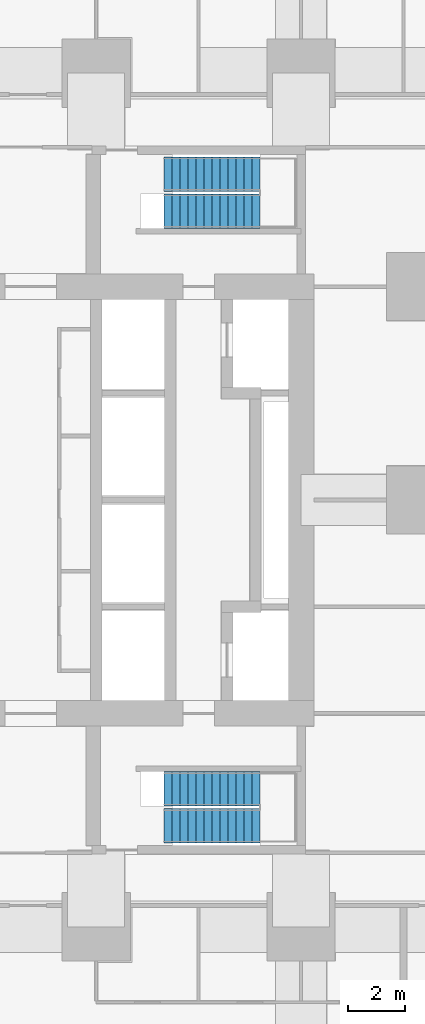
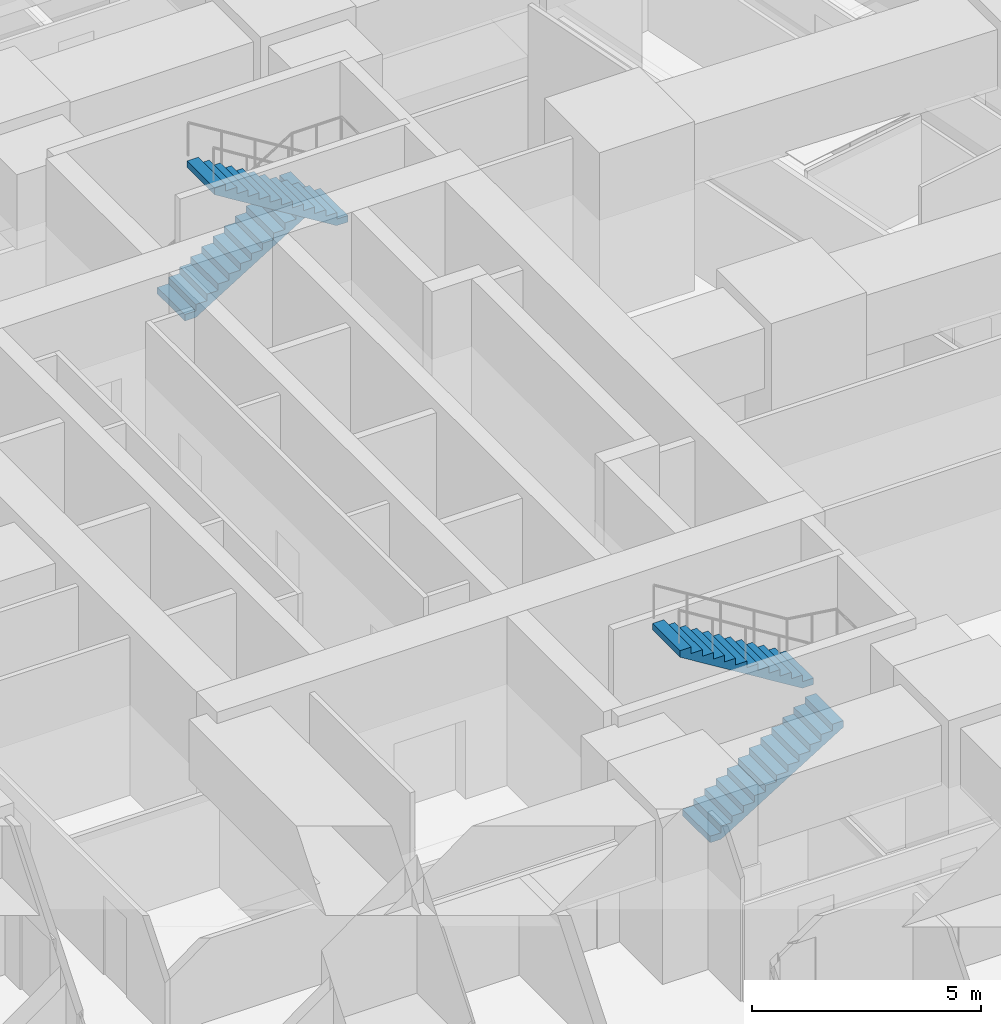
# One storey, part 20 of 23: 4 stair flights, 2 elements without a shape of their own.
"""IFC4 building model written with IfcOpenShell, lengths in metres."""

import ifcopenshell
import ifcopenshell.guid

model = None  # the IFC model being written
_history = None  # IfcOwnerHistory: only IFC2X3 demands one
_inside = {}  # id of a spatial element -> (the spatial element, [elements in it])
_under = {}  # id of a project, library or spatial element -> (it, [spatial elements below it])
_declared = {}  # id of a project -> (the project, [libraries it declares])
_typed = {}  # id of a type object -> (the type object, [elements of that type])
_made_of = {}  # id of a material, layer set ... -> (it, [elements and type objects made of it])


def new_model(schema):
    """Start an empty IFC model of exactly this schema.

    Asked for "IFC4X3", IfcOpenShell would pick the latest addendum, in which some entities
    have other attributes; the version numbers below select the first issue.
    IFC2X3 requires an IfcOwnerHistory on every rooted entity: one is made here for all.
    """
    global model, _history
    if schema == "IFC4X3":
        model = ifcopenshell.file(schema_version=(4, 3, 0, 0))
    else:
        model = ifcopenshell.file(schema=schema)
    _inside.clear()
    _under.clear()
    _declared.clear()
    _typed.clear()
    _made_of.clear()
    _history = None
    if model.schema == "IFC2X3":
        org = make("IfcOrganization", Name="unknown")
        user = make(
            "IfcPersonAndOrganization",
            ThePerson=make("IfcPerson", FamilyName="unknown"),
            TheOrganization=org,
        )
        app = make(
            "IfcApplication",
            ApplicationDeveloper=org,
            Version="unknown",
            ApplicationFullName="unknown",
            ApplicationIdentifier="unknown",
        )
        _history = make(
            "IfcOwnerHistory",
            OwningUser=user,
            OwningApplication=app,
            ChangeAction="ADDED",
            CreationDate=0,
        )
    return model


def make(cls, **values):
    """One entity of the class cls with the attributes given. An attribute that is None is left unset."""
    return model.create_entity(
        cls, **{name: value for name, value in values.items() if value is not None}
    )


def rooted(cls, **values):
    """An entity with a GlobalId (a new one), such as an element, a storey or a relation."""
    return make(cls, GlobalId=ifcopenshell.guid.new(), OwnerHistory=_history, **values)


def si_unit(unit_type, name, prefix=None):
    """IfcSIUnit, for example si_unit("LENGTHUNIT", "METRE", prefix="MILLI")."""
    return make("IfcSIUnit", UnitType=unit_type, Prefix=prefix, Name=name)


def assignment(units):
    """IfcUnitAssignment: the units of a project."""
    return None if units is None else make("IfcUnitAssignment", Units=units)


def point(xyz):
    """IfcCartesianPoint."""
    return None if xyz is None else make("IfcCartesianPoint", Coordinates=xyz)


def direction(xyz):
    """IfcDirection."""
    return None if xyz is None else make("IfcDirection", DirectionRatios=xyz)


def frame(location, z_axis=None, x_axis=None):
    """IfcAxis2Placement3D, a coordinate frame: its origin and axes. An axis left out is left unset."""
    return make(
        "IfcAxis2Placement3D",
        Location=point(location),
        Axis=direction(z_axis),
        RefDirection=direction(x_axis),
    )


def origin():
    """The frame at (0, 0, 0) with its axes left unset."""
    return frame((0.0, 0.0, 0.0))


def place(relative_to, where):
    """IfcLocalPlacement: puts the frame where relative to a parent placement (None: the world)."""
    return make(
        "IfcLocalPlacement", PlacementRelTo=relative_to, RelativePlacement=where
    )


def context(
    kind, dimensions, precision=None, world=None, true_north=None, identifier=None
):
    """IfcGeometricRepresentationContext, for example the 3D "Model" context."""
    return make(
        "IfcGeometricRepresentationContext",
        ContextIdentifier=identifier,
        ContextType=kind,
        CoordinateSpaceDimension=dimensions,
        Precision=precision,
        WorldCoordinateSystem=world,
        TrueNorth=true_north,
    )


def subcontext(parent, identifier, kind, view, scale=None):
    """IfcGeometricRepresentationSubContext, for example "Body" below "Model"."""
    return make(
        "IfcGeometricRepresentationSubContext",
        ContextIdentifier=identifier,
        ContextType=kind,
        ParentContext=parent,
        TargetScale=scale,
        TargetView=view,
    )


def project(units=None, contexts=None):
    """IfcProject with its units and contexts."""
    return rooted(
        "IfcProject",
        Name="project",
        RepresentationContexts=contexts,
        UnitsInContext=assignment(units),
    )


def spatial(cls, under=None, at=None, **own):
    """A site, building, storey or space (cls), placed at a placement, below another one or the project."""
    s = rooted(cls, ObjectPlacement=at, **own)
    if under is not None:
        _under.setdefault(under.id(), (under, []))[1].append(s)
    return s


def point_list(points):
    """IfcCartesianPointList2D or 3D."""
    cls = (
        "IfcCartesianPointList2D" if len(points[0]) == 2 else "IfcCartesianPointList3D"
    )
    return make(cls, CoordList=points)


def triangles(points, corners, closed=None, point_numbers=None):
    """IfcTriangulatedFaceSet: each triangle names its three corners, points numbered from 1."""
    return make(
        "IfcTriangulatedFaceSet",
        Coordinates=point_list(points),
        Closed=closed,
        CoordIndex=corners,
        PnIndex=point_numbers,
    )


def shape(context_of_items, identifier, shape_type, items):
    """IfcShapeRepresentation: the items that make up one representation, for example the "Body"."""
    return make(
        "IfcShapeRepresentation",
        ContextOfItems=context_of_items,
        RepresentationIdentifier=identifier,
        RepresentationType=shape_type,
        Items=items,
    )


def material(Name=None, Category=None):
    """IfcMaterial."""
    return make("IfcMaterial", Name=Name, Category=Category)


def made_of(thing, what):
    """Note that an element or type object is made of a material, layer set ...; save() writes the relation."""
    if what is not None:
        _made_of.setdefault(what.id(), (what, []))[1].append(thing)
    return thing


def type_object(cls, material=None, **own):
    """A type object (cls), such as IfcWallType, which elements share."""
    return made_of(rooted(cls, **own), material)


def element(
    cls,
    number,
    at=None,
    inside=None,
    cuts=None,
    type_object=None,
    material=None,
    context=None,
    identifier="Body",
    shape_type=None,
    held_by="IfcProductDefinitionShape",
    body=None,
    shapes=None,
    **own,
):
    """One element of the class cls, such as IfcWall. Its Tag is "e" and its number.

    at: its placement. inside: the storey or other place that contains it. cuts: it is an
    opening in that element (IfcRelVoidsElement). A single representation is given by context,
    identifier, shape_type and body (its items); several are given by shapes. held_by: the class
    of the entity that holds the representations. save() writes the other relations.
    """
    e = rooted(cls, Tag="e%d" % number, ObjectPlacement=at, **own)
    if body is not None:
        shapes = [shape(context, identifier, shape_type, body)]
    if shapes is not None:
        e.Representation = make(held_by, Representations=shapes)
    if inside is not None:
        _inside.setdefault(inside.id(), (inside, []))[1].append(e)
    if cuts is not None:
        rooted(
            "IfcRelVoidsElement", RelatingBuildingElement=cuts, RelatedOpeningElement=e
        )
    if type_object is not None:
        _typed.setdefault(type_object.id(), (type_object, []))[1].append(e)
    return made_of(e, material)


def aggregate(whole, parts):
    """IfcRelAggregates: a whole, such as a stair, and the parts it consists of."""
    return rooted("IfcRelAggregates", RelatingObject=whole, RelatedObjects=parts)


def save(model, path):
    """Write the relations noted so far, then the file.

    IfcRelAggregates (storeys below a building ...), IfcRelContainedInSpatialStructure (elements
    in a storey), IfcRelDefinesByType, IfcRelAssociatesMaterial and IfcRelDeclares: one each for
    every whole, place, type object, material and project.
    """
    for whole, parts in _under.values():
        aggregate(whole, parts)
    for where, things in _inside.values():
        rooted(
            "IfcRelContainedInSpatialStructure",
            RelatedElements=things,
            RelatingStructure=where,
        )
    for kind, things in _typed.values():
        rooted("IfcRelDefinesByType", RelatedObjects=things, RelatingType=kind)
    for what, things in _made_of.values():
        rooted("IfcRelAssociatesMaterial", RelatedObjects=things, RelatingMaterial=what)
    for by, libraries in _declared.values():
        rooted("IfcRelDeclares", RelatingContext=by, RelatedDefinitions=libraries)
    model.write(path)


model = new_model("IFC4")

# Units and contexts
model_context = context("Model", 3, precision=1e-05, world=origin(), true_north=direction((0.0, 1.0)))
body_context = subcontext(model_context, "Body", "Model", "MODEL_VIEW")
ifc_project = project(units=[si_unit("LENGTHUNIT", "METRE"), si_unit("AREAUNIT", "SQUARE_METRE"), si_unit("VOLUMEUNIT", "CUBIC_METRE"), si_unit("PLANEANGLEUNIT", "RADIAN"), si_unit("MASSUNIT", "GRAM", prefix="KILO")], contexts=[model_context])

# Site, building, storey
site_placement = place(None, origin())
site = spatial("IfcSite", under=ifc_project, at=site_placement, CompositionType="ELEMENT")
building_placement = place(site_placement, origin())
building = spatial("IfcBuilding", under=site, at=building_placement, Name="Sheger Commons Tower", CompositionType="ELEMENT")
storey_placement = place(building_placement, frame((0.0, 0.0, 5.60009765625)))
storey = spatial("IfcBuildingStorey", under=building, at=storey_placement, Name="L01", CompositionType="ELEMENT", Elevation=5.60009765625)

# Stair, stair flights
ifc_material_1 = material(Name="Concrete C35/45", Category="concrete")
stair_type = type_object("IfcStairType", Name="HALF-TURN STAIR 1200 RISE 4500", PredefinedType="HALF_TURN_STAIR", material=ifc_material_1)
stair_1_placement = place(storey_placement, origin())
stair_1 = element("IfcStair", 1, at=stair_1_placement, inside=storey, type_object=stair_type, Name="Stair S1 L01", PredefinedType="HALF_TURN_STAIR")
ifc_material_2 = material(Name="Concrete C35/45", Category="concrete")
stair_flight_type = type_object("IfcStairFlightType", Name="STAIR FLIGHT 1200 13 RISERS OF 173", PredefinedType="STRAIGHT", material=ifc_material_2)
stair_flight_1_placement = place(storey_placement, frame((23.989990234375, 11.050048828125, 0.0), z_axis=(0.0, 0.0, 1.0), x_axis=(1.0, 0.0, 0.0)))
stair_flight_1 = element("IfcStairFlight", 2, at=stair_flight_1_placement, type_object=stair_flight_type, Name="S1 flight 1", NumberOfRisers=13, NumberOfTreads=12, PredefinedType="STRAIGHT", RiserHeight=0.173076923, TreadLength=0.28, context=body_context, shape_type="Tessellation", body=[
    triangles([(0.0, 0.5999755859375, 0.0), (0.0, 0.5999755859375, 0.173095703125), (0.280029296875, 0.5999755859375, 0.173095703125), (0.280029296875, 0.5999755859375, 0.34619140625), (0.56005859375, 0.5999755859375, 0.34619140625), (0.56005859375, 0.5999755859375, 0.519287109375), (0.840087890625, 0.5999755859375, 0.519287109375), (0.840087890625, 0.5999755859375, 0.6923828125), (1.1201171875, 0.5999755859375, 0.6923828125), (1.1201171875, 0.5999755859375, 0.865478515625), (1.39990234375, 0.5999755859375, 0.865478515625), (1.39990234375, 0.5999755859375, 1.03857421875), (1.679931640625, 0.5999755859375, 1.03857421875), (1.679931640625, 0.5999755859375, 1.21142578125), (1.9599609375, 0.5999755859375, 1.21142578125), (1.9599609375, 0.5999755859375, 1.384521484375), (2.239990234375, 0.5999755859375, 1.384521484375), (2.239990234375, 0.5999755859375, 1.5576171875), (2.52001953125, 0.5999755859375, 1.5576171875), (2.52001953125, 0.5999755859375, 1.730712890625), (2.800048828125, 0.5999755859375, 1.730712890625), (2.800048828125, 0.5999755859375, 1.90380859375), (3.080078125, 0.5999755859375, 1.90380859375), (3.080078125, 0.5999755859375, 2.076904296875), (3.360107421875, 0.5999755859375, 2.076904296875), (3.360107421875, 0.5999755859375, 1.900634765625), (0.28515625, 0.5999755859375, 0.0), (0.0, -0.5999755859375, 0.0), (0.0, -0.5999755859375, 0.173095703125), (0.280029296875, -0.5999755859375, 0.173095703125), (0.280029296875, -0.5999755859375, 0.34619140625), (0.56005859375, -0.5999755859375, 0.34619140625), (0.56005859375, -0.5999755859375, 0.519287109375), (0.840087890625, -0.5999755859375, 0.519287109375), (0.840087890625, -0.5999755859375, 0.6923828125), (1.1201171875, -0.5999755859375, 0.6923828125), (1.1201171875, -0.5999755859375, 0.865478515625), (1.39990234375, -0.5999755859375, 0.865478515625), (1.39990234375, -0.5999755859375, 1.03857421875), (1.679931640625, -0.5999755859375, 1.03857421875), (1.679931640625, -0.5999755859375, 1.21142578125), (1.9599609375, -0.5999755859375, 1.21142578125), (1.9599609375, -0.5999755859375, 1.384521484375), (2.239990234375, -0.5999755859375, 1.384521484375), (2.239990234375, -0.5999755859375, 1.5576171875), (2.52001953125, -0.5999755859375, 1.5576171875), (2.52001953125, -0.5999755859375, 1.730712890625), (2.800048828125, -0.5999755859375, 1.730712890625), (2.800048828125, -0.5999755859375, 1.90380859375), (3.080078125, -0.5999755859375, 1.90380859375), (3.080078125, -0.5999755859375, 2.076904296875), (3.360107421875, -0.5999755859375, 2.076904296875), (3.360107421875, -0.5999755859375, 1.900634765625), (0.28515625, -0.5999755859375, 0.0), (0.0, 0.0, 0.0865478515625), (0.1400146484375, 0.0, 0.173095703125), (0.280029296875, 0.0, 0.2596435546875), (0.4200439453125, 0.0, 0.34619140625), (0.56005859375, 0.0, 0.4327392578125), (0.7000732421875, 0.0, 0.519287109375), (0.840087890625, 0.0, 0.6058349609375), (0.9801025390625, 0.0, 0.6923828125), (1.1201171875, 0.0, 0.7789306640625), (1.260009765625, 0.0, 0.865478515625), (1.39990234375, 0.0, 0.9520263671875), (1.5399169921875, 0.0, 1.03857421875), (1.679931640625, 0.0, 1.125), (1.8199462890625, 0.0, 1.21142578125), (1.9599609375, 0.0, 1.2979736328125), (2.0999755859375, 0.0, 1.384521484375), (2.239990234375, 0.0, 1.4710693359375), (2.3800048828125, 0.0, 1.5576171875), (2.52001953125, 0.0, 1.6441650390625), (2.6600341796875, 0.0, 1.730712890625), (2.800048828125, 0.0, 1.8172607421875), (2.9400634765625, 0.0, 1.90380859375), (3.080078125, 0.0, 1.9903564453125), (3.2200927734375, 0.0, 2.076904296875), (3.360107421875, 0.0, 1.98876953125), (1.8226318359375, 0.0, 0.9503173828125), (0.142578125, 0.0, 0.0)], [[1, 26, 27], [28, 54, 53], [26, 24, 25], [53, 52, 51], [26, 23, 24], [53, 51, 50], [26, 22, 23], [53, 50, 49], [26, 21, 22], [53, 49, 48], [21, 19, 20], [48, 47, 46], [26, 19, 21], [53, 48, 46], [19, 17, 18], [46, 45, 44], [26, 17, 19], [53, 46, 44], [17, 15, 16], [44, 43, 42], [26, 15, 17], [53, 44, 42], [1, 15, 26], [28, 53, 42], [15, 13, 14], [42, 41, 40], [13, 11, 12], [40, 39, 38], [15, 11, 13], [42, 40, 38], [11, 9, 10], [38, 37, 36], [15, 9, 11], [42, 38, 36], [9, 7, 8], [36, 35, 34], [15, 7, 9], [42, 36, 34], [7, 5, 6], [34, 33, 32], [15, 5, 7], [42, 34, 32], [5, 3, 4], [32, 31, 30], [15, 3, 5], [42, 32, 30], [1, 3, 15], [28, 42, 30], [3, 1, 2], [30, 29, 28], [1, 55, 2], [2, 55, 29], [29, 55, 28], [28, 55, 1], [2, 56, 3], [3, 56, 30], [30, 56, 29], [29, 56, 2], [3, 57, 4], [4, 57, 31], [31, 57, 30], [30, 57, 3], [4, 58, 5], [5, 58, 32], [32, 58, 31], [31, 58, 4], [5, 59, 6], [6, 59, 33], [33, 59, 32], [32, 59, 5], [6, 60, 7], [7, 60, 34], [34, 60, 33], [33, 60, 6], [7, 61, 8], [8, 61, 35], [35, 61, 34], [34, 61, 7], [8, 62, 9], [9, 62, 36], [36, 62, 35], [35, 62, 8], [9, 63, 10], [10, 63, 37], [37, 63, 36], [36, 63, 9], [10, 64, 11], [11, 64, 38], [38, 64, 37], [37, 64, 10], [11, 65, 12], [12, 65, 39], [39, 65, 38], [38, 65, 11], [12, 66, 13], [13, 66, 40], [40, 66, 39], [39, 66, 12], [13, 67, 14], [14, 67, 41], [41, 67, 40], [40, 67, 13], [14, 68, 15], [15, 68, 42], [42, 68, 41], [41, 68, 14], [15, 69, 16], [16, 69, 43], [43, 69, 42], [42, 69, 15], [16, 70, 17], [17, 70, 44], [44, 70, 43], [43, 70, 16], [17, 71, 18], [18, 71, 45], [45, 71, 44], [44, 71, 17], [18, 72, 19], [19, 72, 46], [46, 72, 45], [45, 72, 18], [19, 73, 20], [20, 73, 47], [47, 73, 46], [46, 73, 19], [20, 74, 21], [21, 74, 48], [48, 74, 47], [47, 74, 20], [21, 75, 22], [22, 75, 49], [49, 75, 48], [48, 75, 21], [22, 76, 23], [23, 76, 50], [50, 76, 49], [49, 76, 22], [23, 77, 24], [24, 77, 51], [51, 77, 50], [50, 77, 23], [24, 78, 25], [25, 78, 52], [52, 78, 51], [51, 78, 24], [25, 79, 26], [26, 79, 53], [53, 79, 52], [52, 79, 25], [26, 80, 27], [27, 80, 54], [54, 80, 53], [53, 80, 26], [27, 81, 1], [1, 81, 28], [28, 81, 54], [54, 81, 27]], closed=True),
])
stair_flight_2_placement = place(storey_placement, frame((27.35009765625, 12.35009765625, 2.25), z_axis=(0.0, 0.0, 1.0), x_axis=(-1.0, 0.0, 0.0)))
stair_flight_2 = element("IfcStairFlight", 3, at=stair_flight_2_placement, type_object=stair_flight_type, Name="S1 flight 2", NumberOfRisers=13, NumberOfTreads=12, PredefinedType="STRAIGHT", RiserHeight=0.173076923, TreadLength=0.28, context=body_context, shape_type="Tessellation", body=[
    triangles([(0.0, 0.5999755859375, 0.0), (0.0, 0.5999755859375, 0.173095703125), (0.280029296875, 0.5999755859375, 0.173095703125), (0.280029296875, 0.5999755859375, 0.34619140625), (0.56005859375, 0.5999755859375, 0.34619140625), (0.56005859375, 0.5999755859375, 0.519287109375), (0.840087890625, 0.5999755859375, 0.519287109375), (0.840087890625, 0.5999755859375, 0.6923828125), (1.1201171875, 0.5999755859375, 0.6923828125), (1.1201171875, 0.5999755859375, 0.865478515625), (1.39990234375, 0.5999755859375, 0.865478515625), (1.39990234375, 0.5999755859375, 1.03857421875), (1.679931640625, 0.5999755859375, 1.03857421875), (1.679931640625, 0.5999755859375, 1.21142578125), (1.9599609375, 0.5999755859375, 1.21142578125), (1.9599609375, 0.5999755859375, 1.384521484375), (2.239990234375, 0.5999755859375, 1.384521484375), (2.239990234375, 0.5999755859375, 1.5576171875), (2.52001953125, 0.5999755859375, 1.5576171875), (2.52001953125, 0.5999755859375, 1.730712890625), (2.800048828125, 0.5999755859375, 1.730712890625), (2.800048828125, 0.5999755859375, 1.90380859375), (3.080078125, 0.5999755859375, 1.90380859375), (3.080078125, 0.5999755859375, 2.076904296875), (3.360107421875, 0.5999755859375, 2.076904296875), (3.360107421875, 0.5999755859375, 1.900634765625), (0.28515625, 0.5999755859375, 0.0), (0.0, -0.5999755859375, 0.0), (0.0, -0.5999755859375, 0.173095703125), (0.280029296875, -0.5999755859375, 0.173095703125), (0.280029296875, -0.5999755859375, 0.34619140625), (0.56005859375, -0.5999755859375, 0.34619140625), (0.56005859375, -0.5999755859375, 0.519287109375), (0.840087890625, -0.5999755859375, 0.519287109375), (0.840087890625, -0.5999755859375, 0.6923828125), (1.1201171875, -0.5999755859375, 0.6923828125), (1.1201171875, -0.5999755859375, 0.865478515625), (1.39990234375, -0.5999755859375, 0.865478515625), (1.39990234375, -0.5999755859375, 1.03857421875), (1.679931640625, -0.5999755859375, 1.03857421875), (1.679931640625, -0.5999755859375, 1.21142578125), (1.9599609375, -0.5999755859375, 1.21142578125), (1.9599609375, -0.5999755859375, 1.384521484375), (2.239990234375, -0.5999755859375, 1.384521484375), (2.239990234375, -0.5999755859375, 1.5576171875), (2.52001953125, -0.5999755859375, 1.5576171875), (2.52001953125, -0.5999755859375, 1.730712890625), (2.800048828125, -0.5999755859375, 1.730712890625), (2.800048828125, -0.5999755859375, 1.90380859375), (3.080078125, -0.5999755859375, 1.90380859375), (3.080078125, -0.5999755859375, 2.076904296875), (3.360107421875, -0.5999755859375, 2.076904296875), (3.360107421875, -0.5999755859375, 1.900634765625), (0.28515625, -0.5999755859375, 0.0), (0.0, 0.0, 0.0865478515625), (0.1400146484375, 0.0, 0.173095703125), (0.280029296875, 0.0, 0.2596435546875), (0.4200439453125, 0.0, 0.34619140625), (0.56005859375, 0.0, 0.4327392578125), (0.7000732421875, 0.0, 0.519287109375), (0.840087890625, 0.0, 0.6058349609375), (0.9801025390625, 0.0, 0.6923828125), (1.1201171875, 0.0, 0.7789306640625), (1.260009765625, 0.0, 0.865478515625), (1.39990234375, 0.0, 0.9520263671875), (1.5399169921875, 0.0, 1.03857421875), (1.679931640625, 0.0, 1.125), (1.8199462890625, 0.0, 1.21142578125), (1.9599609375, 0.0, 1.2979736328125), (2.0999755859375, 0.0, 1.384521484375), (2.239990234375, 0.0, 1.4710693359375), (2.3800048828125, 0.0, 1.5576171875), (2.52001953125, 0.0, 1.6441650390625), (2.6600341796875, 0.0, 1.730712890625), (2.800048828125, 0.0, 1.8172607421875), (2.9400634765625, 0.0, 1.90380859375), (3.080078125, 0.0, 1.9903564453125), (3.2200927734375, 0.0, 2.076904296875), (3.360107421875, 0.0, 1.98876953125), (1.8226318359375, 0.0, 0.9503173828125), (0.142578125, 0.0, 0.0)], [[1, 26, 27], [28, 54, 53], [26, 24, 25], [53, 52, 51], [26, 23, 24], [53, 51, 50], [26, 22, 23], [53, 50, 49], [26, 21, 22], [53, 49, 48], [21, 19, 20], [48, 47, 46], [26, 19, 21], [53, 48, 46], [19, 17, 18], [46, 45, 44], [26, 17, 19], [53, 46, 44], [17, 15, 16], [44, 43, 42], [26, 15, 17], [53, 44, 42], [1, 15, 26], [28, 53, 42], [15, 13, 14], [42, 41, 40], [13, 11, 12], [40, 39, 38], [15, 11, 13], [42, 40, 38], [11, 9, 10], [38, 37, 36], [15, 9, 11], [42, 38, 36], [9, 7, 8], [36, 35, 34], [15, 7, 9], [42, 36, 34], [7, 5, 6], [34, 33, 32], [15, 5, 7], [42, 34, 32], [5, 3, 4], [32, 31, 30], [15, 3, 5], [42, 32, 30], [1, 3, 15], [28, 42, 30], [3, 1, 2], [30, 29, 28], [1, 55, 2], [2, 55, 29], [29, 55, 28], [28, 55, 1], [2, 56, 3], [3, 56, 30], [30, 56, 29], [29, 56, 2], [3, 57, 4], [4, 57, 31], [31, 57, 30], [30, 57, 3], [4, 58, 5], [5, 58, 32], [32, 58, 31], [31, 58, 4], [5, 59, 6], [6, 59, 33], [33, 59, 32], [32, 59, 5], [6, 60, 7], [7, 60, 34], [34, 60, 33], [33, 60, 6], [7, 61, 8], [8, 61, 35], [35, 61, 34], [34, 61, 7], [8, 62, 9], [9, 62, 36], [36, 62, 35], [35, 62, 8], [9, 63, 10], [10, 63, 37], [37, 63, 36], [36, 63, 9], [10, 64, 11], [11, 64, 38], [38, 64, 37], [37, 64, 10], [11, 65, 12], [12, 65, 39], [39, 65, 38], [38, 65, 11], [12, 66, 13], [13, 66, 40], [40, 66, 39], [39, 66, 12], [13, 67, 14], [14, 67, 41], [41, 67, 40], [40, 67, 13], [14, 68, 15], [15, 68, 42], [42, 68, 41], [41, 68, 14], [15, 69, 16], [16, 69, 43], [43, 69, 42], [42, 69, 15], [16, 70, 17], [17, 70, 44], [44, 70, 43], [43, 70, 16], [17, 71, 18], [18, 71, 45], [45, 71, 44], [44, 71, 17], [18, 72, 19], [19, 72, 46], [46, 72, 45], [45, 72, 18], [19, 73, 20], [20, 73, 47], [47, 73, 46], [46, 73, 19], [20, 74, 21], [21, 74, 48], [48, 74, 47], [47, 74, 20], [21, 75, 22], [22, 75, 49], [49, 75, 48], [48, 75, 21], [22, 76, 23], [23, 76, 50], [50, 76, 49], [49, 76, 22], [23, 77, 24], [24, 77, 51], [51, 77, 50], [50, 77, 23], [24, 78, 25], [25, 78, 52], [52, 78, 51], [51, 78, 24], [25, 79, 26], [26, 79, 53], [53, 79, 52], [52, 79, 25], [26, 80, 27], [27, 80, 54], [54, 80, 53], [53, 80, 26], [27, 81, 1], [1, 81, 28], [28, 81, 54], [54, 81, 27]], closed=True),
])
aggregate(stair_1, [stair_flight_1, stair_flight_2])

stair_2_placement = place(storey_placement, origin())
stair_2 = element("IfcStair", 4, at=stair_2_placement, inside=storey, type_object=stair_type, Name="Stair S2 L01", PredefinedType="HALF_TURN_STAIR")
stair_flight_3_placement = place(storey_placement, frame((23.989990234375, 33.949951171875, 0.0), z_axis=(0.0, 0.0, 1.0), x_axis=(1.0, 0.0, 0.0)))
stair_flight_3 = element("IfcStairFlight", 5, at=stair_flight_3_placement, type_object=stair_flight_type, Name="S2 flight 1", NumberOfRisers=13, NumberOfTreads=12, PredefinedType="STRAIGHT", RiserHeight=0.173076923, TreadLength=0.28, context=body_context, shape_type="Tessellation", body=[
    triangles([(0.0, 0.5999755859375, 0.0), (0.0, 0.5999755859375, 0.173095703125), (0.280029296875, 0.5999755859375, 0.173095703125), (0.280029296875, 0.5999755859375, 0.34619140625), (0.56005859375, 0.5999755859375, 0.34619140625), (0.56005859375, 0.5999755859375, 0.519287109375), (0.840087890625, 0.5999755859375, 0.519287109375), (0.840087890625, 0.5999755859375, 0.6923828125), (1.1201171875, 0.5999755859375, 0.6923828125), (1.1201171875, 0.5999755859375, 0.865478515625), (1.39990234375, 0.5999755859375, 0.865478515625), (1.39990234375, 0.5999755859375, 1.03857421875), (1.679931640625, 0.5999755859375, 1.03857421875), (1.679931640625, 0.5999755859375, 1.21142578125), (1.9599609375, 0.5999755859375, 1.21142578125), (1.9599609375, 0.5999755859375, 1.384521484375), (2.239990234375, 0.5999755859375, 1.384521484375), (2.239990234375, 0.5999755859375, 1.5576171875), (2.52001953125, 0.5999755859375, 1.5576171875), (2.52001953125, 0.5999755859375, 1.730712890625), (2.800048828125, 0.5999755859375, 1.730712890625), (2.800048828125, 0.5999755859375, 1.90380859375), (3.080078125, 0.5999755859375, 1.90380859375), (3.080078125, 0.5999755859375, 2.076904296875), (3.360107421875, 0.5999755859375, 2.076904296875), (3.360107421875, 0.5999755859375, 1.900634765625), (0.28515625, 0.5999755859375, 0.0), (0.0, -0.5999755859375, 0.0), (0.0, -0.5999755859375, 0.173095703125), (0.280029296875, -0.5999755859375, 0.173095703125), (0.280029296875, -0.5999755859375, 0.34619140625), (0.56005859375, -0.5999755859375, 0.34619140625), (0.56005859375, -0.5999755859375, 0.519287109375), (0.840087890625, -0.5999755859375, 0.519287109375), (0.840087890625, -0.5999755859375, 0.6923828125), (1.1201171875, -0.5999755859375, 0.6923828125), (1.1201171875, -0.5999755859375, 0.865478515625), (1.39990234375, -0.5999755859375, 0.865478515625), (1.39990234375, -0.5999755859375, 1.03857421875), (1.679931640625, -0.5999755859375, 1.03857421875), (1.679931640625, -0.5999755859375, 1.21142578125), (1.9599609375, -0.5999755859375, 1.21142578125), (1.9599609375, -0.5999755859375, 1.384521484375), (2.239990234375, -0.5999755859375, 1.384521484375), (2.239990234375, -0.5999755859375, 1.5576171875), (2.52001953125, -0.5999755859375, 1.5576171875), (2.52001953125, -0.5999755859375, 1.730712890625), (2.800048828125, -0.5999755859375, 1.730712890625), (2.800048828125, -0.5999755859375, 1.90380859375), (3.080078125, -0.5999755859375, 1.90380859375), (3.080078125, -0.5999755859375, 2.076904296875), (3.360107421875, -0.5999755859375, 2.076904296875), (3.360107421875, -0.5999755859375, 1.900634765625), (0.28515625, -0.5999755859375, 0.0), (0.0, 0.0, 0.0865478515625), (0.1400146484375, 0.0, 0.173095703125), (0.280029296875, 0.0, 0.2596435546875), (0.4200439453125, 0.0, 0.34619140625), (0.56005859375, 0.0, 0.4327392578125), (0.7000732421875, 0.0, 0.519287109375), (0.840087890625, 0.0, 0.6058349609375), (0.9801025390625, 0.0, 0.6923828125), (1.1201171875, 0.0, 0.7789306640625), (1.260009765625, 0.0, 0.865478515625), (1.39990234375, 0.0, 0.9520263671875), (1.5399169921875, 0.0, 1.03857421875), (1.679931640625, 0.0, 1.125), (1.8199462890625, 0.0, 1.21142578125), (1.9599609375, 0.0, 1.2979736328125), (2.0999755859375, 0.0, 1.384521484375), (2.239990234375, 0.0, 1.4710693359375), (2.3800048828125, 0.0, 1.5576171875), (2.52001953125, 0.0, 1.6441650390625), (2.6600341796875, 0.0, 1.730712890625), (2.800048828125, 0.0, 1.8172607421875), (2.9400634765625, 0.0, 1.90380859375), (3.080078125, 0.0, 1.9903564453125), (3.2200927734375, 0.0, 2.076904296875), (3.360107421875, 0.0, 1.98876953125), (1.8226318359375, 0.0, 0.9503173828125), (0.142578125, 0.0, 0.0)], [[1, 26, 27], [28, 54, 53], [26, 24, 25], [53, 52, 51], [26, 23, 24], [53, 51, 50], [26, 22, 23], [53, 50, 49], [26, 21, 22], [53, 49, 48], [21, 19, 20], [48, 47, 46], [26, 19, 21], [53, 48, 46], [19, 17, 18], [46, 45, 44], [26, 17, 19], [53, 46, 44], [17, 15, 16], [44, 43, 42], [26, 15, 17], [53, 44, 42], [1, 15, 26], [28, 53, 42], [15, 13, 14], [42, 41, 40], [13, 11, 12], [40, 39, 38], [15, 11, 13], [42, 40, 38], [11, 9, 10], [38, 37, 36], [15, 9, 11], [42, 38, 36], [9, 7, 8], [36, 35, 34], [15, 7, 9], [42, 36, 34], [7, 5, 6], [34, 33, 32], [15, 5, 7], [42, 34, 32], [5, 3, 4], [32, 31, 30], [15, 3, 5], [42, 32, 30], [1, 3, 15], [28, 42, 30], [3, 1, 2], [30, 29, 28], [1, 55, 2], [2, 55, 29], [29, 55, 28], [28, 55, 1], [2, 56, 3], [3, 56, 30], [30, 56, 29], [29, 56, 2], [3, 57, 4], [4, 57, 31], [31, 57, 30], [30, 57, 3], [4, 58, 5], [5, 58, 32], [32, 58, 31], [31, 58, 4], [5, 59, 6], [6, 59, 33], [33, 59, 32], [32, 59, 5], [6, 60, 7], [7, 60, 34], [34, 60, 33], [33, 60, 6], [7, 61, 8], [8, 61, 35], [35, 61, 34], [34, 61, 7], [8, 62, 9], [9, 62, 36], [36, 62, 35], [35, 62, 8], [9, 63, 10], [10, 63, 37], [37, 63, 36], [36, 63, 9], [10, 64, 11], [11, 64, 38], [38, 64, 37], [37, 64, 10], [11, 65, 12], [12, 65, 39], [39, 65, 38], [38, 65, 11], [12, 66, 13], [13, 66, 40], [40, 66, 39], [39, 66, 12], [13, 67, 14], [14, 67, 41], [41, 67, 40], [40, 67, 13], [14, 68, 15], [15, 68, 42], [42, 68, 41], [41, 68, 14], [15, 69, 16], [16, 69, 43], [43, 69, 42], [42, 69, 15], [16, 70, 17], [17, 70, 44], [44, 70, 43], [43, 70, 16], [17, 71, 18], [18, 71, 45], [45, 71, 44], [44, 71, 17], [18, 72, 19], [19, 72, 46], [46, 72, 45], [45, 72, 18], [19, 73, 20], [20, 73, 47], [47, 73, 46], [46, 73, 19], [20, 74, 21], [21, 74, 48], [48, 74, 47], [47, 74, 20], [21, 75, 22], [22, 75, 49], [49, 75, 48], [48, 75, 21], [22, 76, 23], [23, 76, 50], [50, 76, 49], [49, 76, 22], [23, 77, 24], [24, 77, 51], [51, 77, 50], [50, 77, 23], [24, 78, 25], [25, 78, 52], [52, 78, 51], [51, 78, 24], [25, 79, 26], [26, 79, 53], [53, 79, 52], [52, 79, 25], [26, 80, 27], [27, 80, 54], [54, 80, 53], [53, 80, 26], [27, 81, 1], [1, 81, 28], [28, 81, 54], [54, 81, 27]], closed=True),
])
stair_flight_4_placement = place(storey_placement, frame((27.35009765625, 32.64990234375, 2.25), z_axis=(0.0, 0.0, 1.0), x_axis=(-1.0, 0.0, 0.0)))
stair_flight_4 = element("IfcStairFlight", 6, at=stair_flight_4_placement, type_object=stair_flight_type, Name="S2 flight 2", NumberOfRisers=13, NumberOfTreads=12, PredefinedType="STRAIGHT", RiserHeight=0.173076923, TreadLength=0.28, context=body_context, shape_type="Tessellation", body=[
    triangles([(0.0, 0.5999755859375, 0.0), (0.0, 0.5999755859375, 0.173095703125), (0.280029296875, 0.5999755859375, 0.173095703125), (0.280029296875, 0.5999755859375, 0.34619140625), (0.56005859375, 0.5999755859375, 0.34619140625), (0.56005859375, 0.5999755859375, 0.519287109375), (0.840087890625, 0.5999755859375, 0.519287109375), (0.840087890625, 0.5999755859375, 0.6923828125), (1.1201171875, 0.5999755859375, 0.6923828125), (1.1201171875, 0.5999755859375, 0.865478515625), (1.39990234375, 0.5999755859375, 0.865478515625), (1.39990234375, 0.5999755859375, 1.03857421875), (1.679931640625, 0.5999755859375, 1.03857421875), (1.679931640625, 0.5999755859375, 1.21142578125), (1.9599609375, 0.5999755859375, 1.21142578125), (1.9599609375, 0.5999755859375, 1.384521484375), (2.239990234375, 0.5999755859375, 1.384521484375), (2.239990234375, 0.5999755859375, 1.5576171875), (2.52001953125, 0.5999755859375, 1.5576171875), (2.52001953125, 0.5999755859375, 1.730712890625), (2.800048828125, 0.5999755859375, 1.730712890625), (2.800048828125, 0.5999755859375, 1.90380859375), (3.080078125, 0.5999755859375, 1.90380859375), (3.080078125, 0.5999755859375, 2.076904296875), (3.360107421875, 0.5999755859375, 2.076904296875), (3.360107421875, 0.5999755859375, 1.900634765625), (0.28515625, 0.5999755859375, 0.0), (0.0, -0.5999755859375, 0.0), (0.0, -0.5999755859375, 0.173095703125), (0.280029296875, -0.5999755859375, 0.173095703125), (0.280029296875, -0.5999755859375, 0.34619140625), (0.56005859375, -0.5999755859375, 0.34619140625), (0.56005859375, -0.5999755859375, 0.519287109375), (0.840087890625, -0.5999755859375, 0.519287109375), (0.840087890625, -0.5999755859375, 0.6923828125), (1.1201171875, -0.5999755859375, 0.6923828125), (1.1201171875, -0.5999755859375, 0.865478515625), (1.39990234375, -0.5999755859375, 0.865478515625), (1.39990234375, -0.5999755859375, 1.03857421875), (1.679931640625, -0.5999755859375, 1.03857421875), (1.679931640625, -0.5999755859375, 1.21142578125), (1.9599609375, -0.5999755859375, 1.21142578125), (1.9599609375, -0.5999755859375, 1.384521484375), (2.239990234375, -0.5999755859375, 1.384521484375), (2.239990234375, -0.5999755859375, 1.5576171875), (2.52001953125, -0.5999755859375, 1.5576171875), (2.52001953125, -0.5999755859375, 1.730712890625), (2.800048828125, -0.5999755859375, 1.730712890625), (2.800048828125, -0.5999755859375, 1.90380859375), (3.080078125, -0.5999755859375, 1.90380859375), (3.080078125, -0.5999755859375, 2.076904296875), (3.360107421875, -0.5999755859375, 2.076904296875), (3.360107421875, -0.5999755859375, 1.900634765625), (0.28515625, -0.5999755859375, 0.0), (0.0, 0.0, 0.0865478515625), (0.1400146484375, 0.0, 0.173095703125), (0.280029296875, 0.0, 0.2596435546875), (0.4200439453125, 0.0, 0.34619140625), (0.56005859375, 0.0, 0.4327392578125), (0.7000732421875, 0.0, 0.519287109375), (0.840087890625, 0.0, 0.6058349609375), (0.9801025390625, 0.0, 0.6923828125), (1.1201171875, 0.0, 0.7789306640625), (1.260009765625, 0.0, 0.865478515625), (1.39990234375, 0.0, 0.9520263671875), (1.5399169921875, 0.0, 1.03857421875), (1.679931640625, 0.0, 1.125), (1.8199462890625, 0.0, 1.21142578125), (1.9599609375, 0.0, 1.2979736328125), (2.0999755859375, 0.0, 1.384521484375), (2.239990234375, 0.0, 1.4710693359375), (2.3800048828125, 0.0, 1.5576171875), (2.52001953125, 0.0, 1.6441650390625), (2.6600341796875, 0.0, 1.730712890625), (2.800048828125, 0.0, 1.8172607421875), (2.9400634765625, 0.0, 1.90380859375), (3.080078125, 0.0, 1.9903564453125), (3.2200927734375, 0.0, 2.076904296875), (3.360107421875, 0.0, 1.98876953125), (1.8226318359375, 0.0, 0.9503173828125), (0.142578125, 0.0, 0.0)], [[1, 26, 27], [28, 54, 53], [26, 24, 25], [53, 52, 51], [26, 23, 24], [53, 51, 50], [26, 22, 23], [53, 50, 49], [26, 21, 22], [53, 49, 48], [21, 19, 20], [48, 47, 46], [26, 19, 21], [53, 48, 46], [19, 17, 18], [46, 45, 44], [26, 17, 19], [53, 46, 44], [17, 15, 16], [44, 43, 42], [26, 15, 17], [53, 44, 42], [1, 15, 26], [28, 53, 42], [15, 13, 14], [42, 41, 40], [13, 11, 12], [40, 39, 38], [15, 11, 13], [42, 40, 38], [11, 9, 10], [38, 37, 36], [15, 9, 11], [42, 38, 36], [9, 7, 8], [36, 35, 34], [15, 7, 9], [42, 36, 34], [7, 5, 6], [34, 33, 32], [15, 5, 7], [42, 34, 32], [5, 3, 4], [32, 31, 30], [15, 3, 5], [42, 32, 30], [1, 3, 15], [28, 42, 30], [3, 1, 2], [30, 29, 28], [1, 55, 2], [2, 55, 29], [29, 55, 28], [28, 55, 1], [2, 56, 3], [3, 56, 30], [30, 56, 29], [29, 56, 2], [3, 57, 4], [4, 57, 31], [31, 57, 30], [30, 57, 3], [4, 58, 5], [5, 58, 32], [32, 58, 31], [31, 58, 4], [5, 59, 6], [6, 59, 33], [33, 59, 32], [32, 59, 5], [6, 60, 7], [7, 60, 34], [34, 60, 33], [33, 60, 6], [7, 61, 8], [8, 61, 35], [35, 61, 34], [34, 61, 7], [8, 62, 9], [9, 62, 36], [36, 62, 35], [35, 62, 8], [9, 63, 10], [10, 63, 37], [37, 63, 36], [36, 63, 9], [10, 64, 11], [11, 64, 38], [38, 64, 37], [37, 64, 10], [11, 65, 12], [12, 65, 39], [39, 65, 38], [38, 65, 11], [12, 66, 13], [13, 66, 40], [40, 66, 39], [39, 66, 12], [13, 67, 14], [14, 67, 41], [41, 67, 40], [40, 67, 13], [14, 68, 15], [15, 68, 42], [42, 68, 41], [41, 68, 14], [15, 69, 16], [16, 69, 43], [43, 69, 42], [42, 69, 15], [16, 70, 17], [17, 70, 44], [44, 70, 43], [43, 70, 16], [17, 71, 18], [18, 71, 45], [45, 71, 44], [44, 71, 17], [18, 72, 19], [19, 72, 46], [46, 72, 45], [45, 72, 18], [19, 73, 20], [20, 73, 47], [47, 73, 46], [46, 73, 19], [20, 74, 21], [21, 74, 48], [48, 74, 47], [47, 74, 20], [21, 75, 22], [22, 75, 49], [49, 75, 48], [48, 75, 21], [22, 76, 23], [23, 76, 50], [50, 76, 49], [49, 76, 22], [23, 77, 24], [24, 77, 51], [51, 77, 50], [50, 77, 23], [24, 78, 25], [25, 78, 52], [52, 78, 51], [51, 78, 24], [25, 79, 26], [26, 79, 53], [53, 79, 52], [52, 79, 25], [26, 80, 27], [27, 80, 54], [54, 80, 53], [53, 80, 26], [27, 81, 1], [1, 81, 28], [28, 81, 54], [54, 81, 27]], closed=True),
])
aggregate(stair_2, [stair_flight_3, stair_flight_4])

save(model, "model.ifc")
